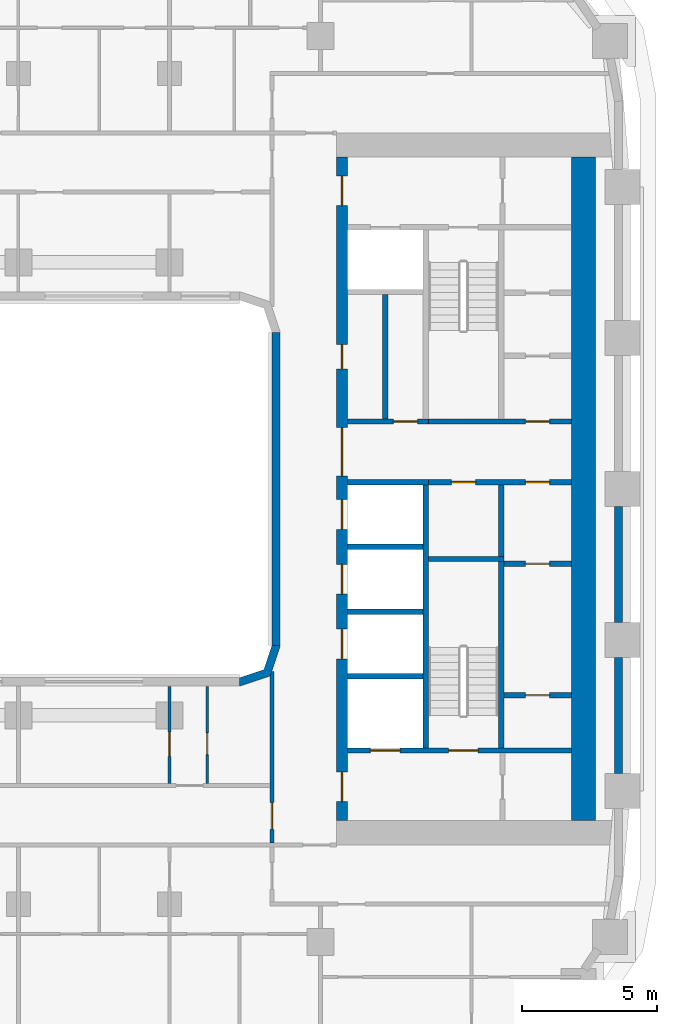
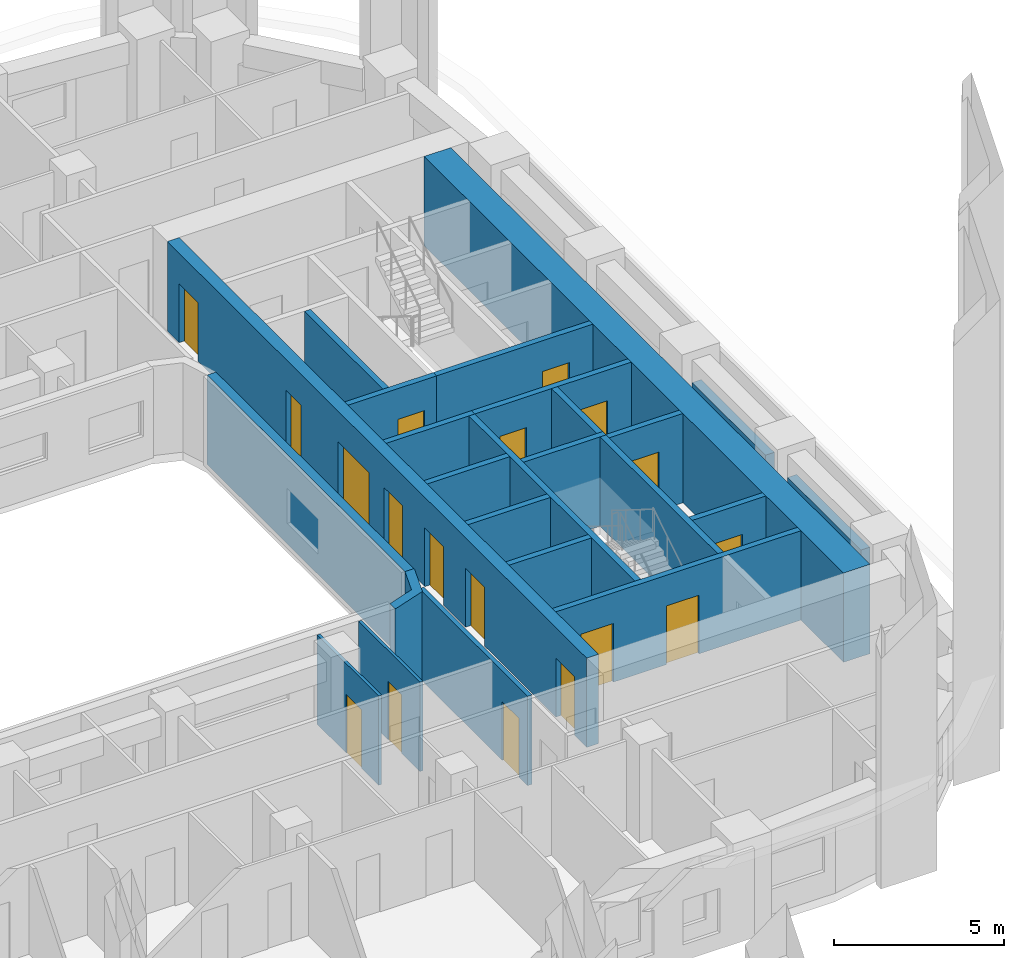
# One storey, part 6 of 19: 24 walls, 18 doors, 18 openings.
"""IFC4 building model written with IfcOpenShell, lengths in metres."""

import ifcopenshell
import ifcopenshell.guid

model = None  # the IFC model being written
_history = None  # IfcOwnerHistory: only IFC2X3 demands one
_inside = {}  # id of a spatial element -> (the spatial element, [elements in it])
_under = {}  # id of a project, library or spatial element -> (it, [spatial elements below it])
_declared = {}  # id of a project -> (the project, [libraries it declares])
_typed = {}  # id of a type object -> (the type object, [elements of that type])
_made_of = {}  # id of a material, layer set ... -> (it, [elements and type objects made of it])


def new_model(schema):
    """Start an empty IFC model of exactly this schema.

    Asked for "IFC4X3", IfcOpenShell would pick the latest addendum, in which some entities
    have other attributes; the version numbers below select the first issue.
    IFC2X3 requires an IfcOwnerHistory on every rooted entity: one is made here for all.
    """
    global model, _history
    if schema == "IFC4X3":
        model = ifcopenshell.file(schema_version=(4, 3, 0, 0))
    else:
        model = ifcopenshell.file(schema=schema)
    _inside.clear()
    _under.clear()
    _declared.clear()
    _typed.clear()
    _made_of.clear()
    _history = None
    if model.schema == "IFC2X3":
        org = make("IfcOrganization", Name="unknown")
        user = make(
            "IfcPersonAndOrganization",
            ThePerson=make("IfcPerson", FamilyName="unknown"),
            TheOrganization=org,
        )
        app = make(
            "IfcApplication",
            ApplicationDeveloper=org,
            Version="unknown",
            ApplicationFullName="unknown",
            ApplicationIdentifier="unknown",
        )
        _history = make(
            "IfcOwnerHistory",
            OwningUser=user,
            OwningApplication=app,
            ChangeAction="ADDED",
            CreationDate=0,
        )
    return model


def make(cls, **values):
    """One entity of the class cls with the attributes given. An attribute that is None is left unset."""
    return model.create_entity(
        cls, **{name: value for name, value in values.items() if value is not None}
    )


def rooted(cls, **values):
    """An entity with a GlobalId (a new one), such as an element, a storey or a relation."""
    return make(cls, GlobalId=ifcopenshell.guid.new(), OwnerHistory=_history, **values)


def si_unit(unit_type, name, prefix=None):
    """IfcSIUnit, for example si_unit("LENGTHUNIT", "METRE", prefix="MILLI")."""
    return make("IfcSIUnit", UnitType=unit_type, Prefix=prefix, Name=name)


def assignment(units):
    """IfcUnitAssignment: the units of a project."""
    return None if units is None else make("IfcUnitAssignment", Units=units)


def point(xyz):
    """IfcCartesianPoint."""
    return None if xyz is None else make("IfcCartesianPoint", Coordinates=xyz)


def direction(xyz):
    """IfcDirection."""
    return None if xyz is None else make("IfcDirection", DirectionRatios=xyz)


def frame(location, z_axis=None, x_axis=None):
    """IfcAxis2Placement3D, a coordinate frame: its origin and axes. An axis left out is left unset."""
    return make(
        "IfcAxis2Placement3D",
        Location=point(location),
        Axis=direction(z_axis),
        RefDirection=direction(x_axis),
    )


def frame_2d(location, x_axis=None):
    """IfcAxis2Placement2D, a coordinate frame in the plane: its origin and x axis."""
    return make(
        "IfcAxis2Placement2D", Location=point(location), RefDirection=direction(x_axis)
    )


def origin():
    """The frame at (0, 0, 0) with its axes left unset."""
    return frame((0.0, 0.0, 0.0))


def place(relative_to, where):
    """IfcLocalPlacement: puts the frame where relative to a parent placement (None: the world)."""
    return make(
        "IfcLocalPlacement", PlacementRelTo=relative_to, RelativePlacement=where
    )


def context(
    kind, dimensions, precision=None, world=None, true_north=None, identifier=None
):
    """IfcGeometricRepresentationContext, for example the 3D "Model" context."""
    return make(
        "IfcGeometricRepresentationContext",
        ContextIdentifier=identifier,
        ContextType=kind,
        CoordinateSpaceDimension=dimensions,
        Precision=precision,
        WorldCoordinateSystem=world,
        TrueNorth=true_north,
    )


def subcontext(parent, identifier, kind, view, scale=None):
    """IfcGeometricRepresentationSubContext, for example "Body" below "Model"."""
    return make(
        "IfcGeometricRepresentationSubContext",
        ContextIdentifier=identifier,
        ContextType=kind,
        ParentContext=parent,
        TargetScale=scale,
        TargetView=view,
    )


def project(units=None, contexts=None):
    """IfcProject with its units and contexts."""
    return rooted(
        "IfcProject",
        Name="project",
        RepresentationContexts=contexts,
        UnitsInContext=assignment(units),
    )


def spatial(cls, under=None, at=None, **own):
    """A site, building, storey or space (cls), placed at a placement, below another one or the project."""
    s = rooted(cls, ObjectPlacement=at, **own)
    if under is not None:
        _under.setdefault(under.id(), (under, []))[1].append(s)
    return s


def polyline(points):
    """IfcPolyline through the points."""
    return make("IfcPolyline", Points=[point(p) for p in points])


def profile(cls, at=None, kind="AREA", **sizes):
    """A parametric profile (cls). Its sizes go by their IFC names, for example OverallWidth=200.0."""
    return make(cls, ProfileType=kind, Position=at, **sizes)


def rectangle(**sizes):
    """IfcRectangleProfileDef."""
    return profile("IfcRectangleProfileDef", **sizes)


def outline(outer, holes=None, kind="AREA"):
    """IfcArbitraryClosedProfileDef: a profile drawn as a closed curve; with holes, ...WithVoids."""
    if holes is None:
        return make("IfcArbitraryClosedProfileDef", ProfileType=kind, OuterCurve=outer)
    return make(
        "IfcArbitraryProfileDefWithVoids",
        ProfileType=kind,
        OuterCurve=outer,
        InnerCurves=holes,
    )


def extrude(swept, where, along, depth):
    """IfcExtrudedAreaSolid: the profile swept, set in the frame where, extruded along a direction by depth."""
    return make(
        "IfcExtrudedAreaSolid",
        SweptArea=swept,
        Position=where,
        ExtrudedDirection=direction(along),
        Depth=depth,
    )


def shape(context_of_items, identifier, shape_type, items):
    """IfcShapeRepresentation: the items that make up one representation, for example the "Body"."""
    return make(
        "IfcShapeRepresentation",
        ContextOfItems=context_of_items,
        RepresentationIdentifier=identifier,
        RepresentationType=shape_type,
        Items=items,
    )


def material(Name=None, Category=None):
    """IfcMaterial."""
    return make("IfcMaterial", Name=Name, Category=Category)


def layer(
    of_material, thickness, ventilated=None, Name=None, Category=None, Priority=None
):
    """IfcMaterialLayer: one layer of a wall or slab, of a material (None: an air gap)."""
    return make(
        "IfcMaterialLayer",
        Material=of_material,
        LayerThickness=thickness,
        IsVentilated=ventilated,
        Name=Name,
        Category=Category,
        Priority=Priority,
    )


def layer_set(layers, Name=None):
    """IfcMaterialLayerSet."""
    return make("IfcMaterialLayerSet", MaterialLayers=layers, LayerSetName=Name)


def made_of(thing, what):
    """Note that an element or type object is made of a material, layer set ...; save() writes the relation."""
    if what is not None:
        _made_of.setdefault(what.id(), (what, []))[1].append(thing)
    return thing


def type_object(cls, material=None, **own):
    """A type object (cls), such as IfcWallType, which elements share."""
    return made_of(rooted(cls, **own), material)


def element(
    cls,
    number,
    at=None,
    inside=None,
    cuts=None,
    type_object=None,
    material=None,
    context=None,
    identifier="Body",
    shape_type=None,
    held_by="IfcProductDefinitionShape",
    body=None,
    shapes=None,
    **own,
):
    """One element of the class cls, such as IfcWall. Its Tag is "e" and its number.

    at: its placement. inside: the storey or other place that contains it. cuts: it is an
    opening in that element (IfcRelVoidsElement). A single representation is given by context,
    identifier, shape_type and body (its items); several are given by shapes. held_by: the class
    of the entity that holds the representations. save() writes the other relations.
    """
    e = rooted(cls, Tag="e%d" % number, ObjectPlacement=at, **own)
    if body is not None:
        shapes = [shape(context, identifier, shape_type, body)]
    if shapes is not None:
        e.Representation = make(held_by, Representations=shapes)
    if inside is not None:
        _inside.setdefault(inside.id(), (inside, []))[1].append(e)
    if cuts is not None:
        rooted(
            "IfcRelVoidsElement", RelatingBuildingElement=cuts, RelatedOpeningElement=e
        )
    if type_object is not None:
        _typed.setdefault(type_object.id(), (type_object, []))[1].append(e)
    return made_of(e, material)


def fill(opening, filler):
    """IfcRelFillsElement: the door or window that sits in an opening."""
    return rooted(
        "IfcRelFillsElement",
        RelatingOpeningElement=opening,
        RelatedBuildingElement=filler,
    )


def aggregate(whole, parts):
    """IfcRelAggregates: a whole, such as a stair, and the parts it consists of."""
    return rooted("IfcRelAggregates", RelatingObject=whole, RelatedObjects=parts)


def save(model, path):
    """Write the relations noted so far, then the file.

    IfcRelAggregates (storeys below a building ...), IfcRelContainedInSpatialStructure (elements
    in a storey), IfcRelDefinesByType, IfcRelAssociatesMaterial and IfcRelDeclares: one each for
    every whole, place, type object, material and project.
    """
    for whole, parts in _under.values():
        aggregate(whole, parts)
    for where, things in _inside.values():
        rooted(
            "IfcRelContainedInSpatialStructure",
            RelatedElements=things,
            RelatingStructure=where,
        )
    for kind, things in _typed.values():
        rooted("IfcRelDefinesByType", RelatedObjects=things, RelatingType=kind)
    for what, things in _made_of.values():
        rooted("IfcRelAssociatesMaterial", RelatedObjects=things, RelatingMaterial=what)
    for by, libraries in _declared.values():
        rooted("IfcRelDeclares", RelatingContext=by, RelatedDefinitions=libraries)
    model.write(path)


model = new_model("IFC4")

# Units and contexts
model_context = context("Model", 3, precision=1e-05, world=origin(), true_north=direction((0.0, 1.0)))
body_context = subcontext(model_context, "Body", "Model", "MODEL_VIEW")
ifc_project = project(units=[si_unit("LENGTHUNIT", "METRE"), si_unit("AREAUNIT", "SQUARE_METRE"), si_unit("VOLUMEUNIT", "CUBIC_METRE"), si_unit("PLANEANGLEUNIT", "RADIAN"), si_unit("MASSUNIT", "GRAM", prefix="KILO")], contexts=[model_context])

# Site, building, storey
site_placement = place(None, origin())
site = spatial("IfcSite", under=ifc_project, at=site_placement, CompositionType="ELEMENT")
building_placement = place(site_placement, origin())
building = spatial("IfcBuilding", under=site, at=building_placement, Name="Kiln Ring Residences", CompositionType="ELEMENT")
storey_placement = place(building_placement, frame((0.0, 0.0, 83.300048828125)))
storey = spatial("IfcBuildingStorey", under=building, at=storey_placement, Name="L20", CompositionType="ELEMENT", Elevation=83.300048828125)

# Wall
ifc_material_1 = material(Name="Gypsum board on steel studs", Category="steel")
ifc_layer_1 = layer(ifc_material_1, 0.199951171875)
ifc_layer_set_1 = layer_set([ifc_layer_1], Name="CORE-PARTITION-200")
wall_type_1 = type_object("IfcWallType", Name="CORE-PARTITION-200", PredefinedType="PARTITIONING", material=ifc_layer_set_1)
wall_1_placement = place(storey_placement, frame((23.5, -2.5, 0.0), z_axis=(0.0, 0.0, 1.0), x_axis=(0.0, 1.0, 0.0)))
element("IfcWall", 1, at=wall_1_placement, inside=storey, type_object=wall_type_1, Name="Core partition east L20 1", PredefinedType="PARTITIONING", context=body_context, shape_type="SweptSolid", body=[
    extrude(rectangle(XDim=2.64990234375, YDim=0.199951171875, at=frame_2d((1.324951171875, 0.0))), origin(), (0.0, 0.0, 1.0), 3.199951171875),
])

# Wall, openings, doors
wall_2_placement = place(storey_placement, frame((20.800048828125, 0.25, 0.0), z_axis=(0.0, 0.0, 1.0), x_axis=(1.0, 0.0, 0.0)))
wall_2 = element("IfcWall", 2, at=wall_2_placement, inside=storey, type_object=wall_type_1, Name="Core partition east L20 2", PredefinedType="PARTITIONING", context=body_context, shape_type="SweptSolid", body=[
    extrude(rectangle(XDim=5.300048828125, YDim=0.199951171875, at=frame_2d((2.64990234375, 0.0))), origin(), (0.0, 0.0, 1.0), 3.199951171875),
])
opening_1_placement = place(wall_2_placement, frame((0.85009765625, 0.0, 0.0)))
opening_1 = element("IfcOpeningElement", 3, at=opening_1_placement, cuts=wall_2, Name="Opening L20-CE15", PredefinedType="OPENING", context=body_context, shape_type="SweptSolid", body=[
    extrude(rectangle(XDim=0.89990234375, YDim=2.10009765625, at=frame_2d((0.449951171875, 1.050048828125))), frame((0.0, 0.10986328125, 0.0), z_axis=(0.0, -1.0, 0.0), x_axis=(1.0, 0.0, 0.0)), (0.0, 0.0, 1.0), 0.219970703125),
])
opening_2_placement = place(wall_2_placement, frame((3.60009765625, 0.0, 0.0)))
opening_2 = element("IfcOpeningElement", 4, at=opening_2_placement, cuts=wall_2, Name="Opening L20-CE18", PredefinedType="OPENING", context=body_context, shape_type="SweptSolid", body=[
    extrude(rectangle(XDim=0.89990234375, YDim=2.10009765625, at=frame_2d((0.449951171875, 1.050048828125))), frame((0.0, 0.10986328125, 0.0), z_axis=(0.0, -1.0, 0.0), x_axis=(1.0, 0.0, 0.0)), (0.0, 0.0, 1.0), 0.219970703125),
])
ifc_material_2 = material(Name="Steel door leaf", Category="steel")
door_type_1 = type_object("IfcDoorType", Name="CORE-DOOR-ROOM", OperationType="SINGLE_SWING_LEFT", PredefinedType="DOOR", material=ifc_material_2)
door_1_placement = place(opening_1_placement, origin())
door_1 = element("IfcDoor", 5, at=door_1_placement, inside=storey, type_object=door_type_1, Name="Cleaner's store L20-CE15", OperationType="SINGLE_SWING_RIGHT", OverallHeight=2.10009765625, OverallWidth=0.89990234375, PredefinedType="DOOR", context=body_context, shape_type="SweptSolid", body=[
    extrude(rectangle(XDim=0.89990234375, YDim=2.10009765625, at=frame_2d((0.449951171875, 1.050048828125))), frame((0.0, 0.02490234375, 0.0), z_axis=(0.0, -1.0, 0.0), x_axis=(1.0, 0.0, 0.0)), (0.0, 0.0, 1.0), 0.050048828125),
])
fill(opening_1, door_1)
door_2_placement = place(opening_2_placement, origin())
door_2 = element("IfcDoor", 6, at=door_2_placement, inside=storey, type_object=door_type_1, Name="Battery room L20-CE18", OperationType="SINGLE_SWING_LEFT", OverallHeight=2.10009765625, OverallWidth=0.89990234375, PredefinedType="DOOR", context=body_context, shape_type="SweptSolid", body=[
    extrude(rectangle(XDim=0.89990234375, YDim=2.10009765625, at=frame_2d((0.449951171875, 1.050048828125))), frame((0.0, 0.02490234375, 0.0), z_axis=(0.0, -1.0, 0.0), x_axis=(1.0, 0.0, 0.0)), (0.0, 0.0, 1.0), 0.050048828125),
])
fill(opening_2, door_2)

# Wall
wall_3_placement = place(storey_placement, frame((19.199951171875, 2.60009765625, 0.0), z_axis=(0.0, 0.0, 1.0), x_axis=(0.0, 1.0, 0.0)))
element("IfcWall", 7, at=wall_3_placement, inside=storey, type_object=wall_type_1, Name="Core partition east L20 3", PredefinedType="PARTITIONING", context=body_context, shape_type="SweptSolid", body=[
    extrude(rectangle(XDim=4.599853515625, YDim=0.199951171875, at=frame_2d((2.2998046875, 0.0))), origin(), (0.0, 0.0, 1.0), 3.199951171875),
])

# Wall, opening, door
wall_4_placement = place(storey_placement, frame((23.60009765625, -7.64990234375, 0.0), z_axis=(0.0, 0.0, 1.0), x_axis=(1.0, 0.0, 0.0)))
wall_4 = element("IfcWall", 8, at=wall_4_placement, inside=storey, type_object=wall_type_1, Name="Core partition east L20 6", PredefinedType="PARTITIONING", context=body_context, shape_type="SweptSolid", body=[
    extrude(rectangle(XDim=2.5, YDim=0.199951171875, at=frame_2d((1.25, 0.0))), origin(), (0.0, 0.0, 1.0), 3.199951171875),
])
opening_3_placement = place(wall_4_placement, frame((0.800048828125, 0.0, 0.0)))
opening_3 = element("IfcOpeningElement", 9, at=opening_3_placement, cuts=wall_4, Name="Opening L20-CE16", PredefinedType="OPENING", context=body_context, shape_type="SweptSolid", body=[
    extrude(rectangle(XDim=0.89990234375, YDim=2.10009765625, at=frame_2d((0.449951171875, 1.050048828125))), frame((0.0, 0.10986328125, 0.0), z_axis=(0.0, -1.0, 0.0), x_axis=(1.0, 0.0, 0.0)), (0.0, 0.0, 1.0), 0.219970703125),
])
door_3_placement = place(opening_3_placement, origin())
door_3 = element("IfcDoor", 10, at=door_3_placement, inside=storey, type_object=door_type_1, Name="Plant room L20-CE16", OperationType="SINGLE_SWING_RIGHT", OverallHeight=2.10009765625, OverallWidth=0.89990234375, PredefinedType="DOOR", context=body_context, shape_type="SweptSolid", body=[
    extrude(rectangle(XDim=0.89990234375, YDim=2.10009765625, at=frame_2d((0.449951171875, 1.050048828125))), frame((0.0, 0.02490234375, 0.0), z_axis=(0.0, -1.0, 0.0), x_axis=(1.0, 0.0, 0.0)), (0.0, 0.0, 1.0), 0.050048828125),
])
fill(opening_3, door_3)

wall_5_placement = place(storey_placement, frame((23.60009765625, -2.77490234375, 0.0), z_axis=(0.0, 0.0, 1.0), x_axis=(1.0, 0.0, 0.0)))
wall_5 = element("IfcWall", 11, at=wall_5_placement, inside=storey, type_object=wall_type_1, Name="Core partition east L20 7", PredefinedType="PARTITIONING", context=body_context, shape_type="SweptSolid", body=[
    extrude(rectangle(XDim=2.5, YDim=0.199951171875, at=frame_2d((1.25, 0.0))), origin(), (0.0, 0.0, 1.0), 3.199951171875),
])
opening_4_placement = place(wall_5_placement, frame((0.800048828125, 0.0, 0.0)))
opening_4 = element("IfcOpeningElement", 12, at=opening_4_placement, cuts=wall_5, Name="Opening L20-CE17", PredefinedType="OPENING", context=body_context, shape_type="SweptSolid", body=[
    extrude(rectangle(XDim=0.89990234375, YDim=2.10009765625, at=frame_2d((0.449951171875, 1.050048828125))), frame((0.0, 0.10986328125, 0.0), z_axis=(0.0, -1.0, 0.0), x_axis=(1.0, 0.0, 0.0)), (0.0, 0.0, 1.0), 0.219970703125),
])
door_4_placement = place(opening_4_placement, origin())
door_4 = element("IfcDoor", 13, at=door_4_placement, inside=storey, type_object=door_type_1, Name="Battery room L20-CE17", OperationType="SINGLE_SWING_LEFT", OverallHeight=2.10009765625, OverallWidth=0.89990234375, PredefinedType="DOOR", context=body_context, shape_type="SweptSolid", body=[
    extrude(rectangle(XDim=0.89990234375, YDim=2.10009765625, at=frame_2d((0.449951171875, 1.050048828125))), frame((0.0, 0.02490234375, 0.0), z_axis=(0.0, -1.0, 0.0), x_axis=(1.0, 0.0, 0.0)), (0.0, 0.0, 1.0), 0.050048828125),
])
fill(opening_4, door_4)

# Walls
ifc_material_3 = material(Name="Gypsum shaft wall system")
ifc_layer_2 = layer(ifc_material_3, 0.199951171875)
ifc_layer_set_2 = layer_set([ifc_layer_2], Name="CORE-SHAFT-WALL-200")
wall_type_2 = type_object("IfcWallType", Name="CORE-SHAFT-WALL-200", PredefinedType="PARTITIONING", material=ifc_layer_set_2)
for number, where, z_axis, x_axis, name in (
    (14, (17.800048828125, -6.949951171875, 0.0), (0.0, 0.0, 1.0), (1.0, 0.0, 0.0), "Core partition east L20 10"),
    (15, (17.800048828125, -4.550048828125, 0.0), (0.0, 0.0, 1.0), (1.0, 0.0, 0.0), "Core partition east L20 11"),
    (16, (17.800048828125, -2.14990234375, 0.0), (0.0, 0.0, 1.0), (1.0, 0.0, 0.0), "Core partition east L20 12"),
):
    element("IfcWall", number, at=place(storey_placement, frame(where, z_axis=z_axis, x_axis=x_axis)), inside=storey, type_object=wall_type_2, Name=name, PredefinedType="PARTITIONING", context=body_context, shape_type="SweptSolid", body=[
        extrude(rectangle(XDim=2.800048828125, YDim=0.199951171875, at=frame_2d((1.39990234375, 0.0))), origin(), (0.0, 0.0, 1.0), 3.199951171875),
    ])
wall_6_placement = place(storey_placement, frame((17.800048828125, 0.25, 0.0), z_axis=(0.0, 0.0, 1.0), x_axis=(1.0, 0.0, 0.0)))
element("IfcWall", 17, at=wall_6_placement, inside=storey, type_object=wall_type_2, Name="Core partition east L20 13", PredefinedType="PARTITIONING", context=body_context, shape_type="SweptSolid", body=[
    extrude(rectangle(XDim=3.0, YDim=0.199951171875, at=frame_2d((1.5, 0.0))), origin(), (0.0, 0.0, 1.0), 3.199951171875),
])

# Wall, opening, door
wall_7_placement = place(storey_placement, frame((17.800048828125, 2.5, 0.0), z_axis=(0.0, 0.0, 1.0), x_axis=(1.0, 0.0, 0.0)))
wall_7 = element("IfcWall", 18, at=wall_7_placement, inside=storey, type_object=wall_type_2, Name="Core partition east L20 14", PredefinedType="PARTITIONING", context=body_context, shape_type="SweptSolid", body=[
    extrude(rectangle(XDim=3.0, YDim=0.199951171875, at=frame_2d((1.5, 0.0))), origin(), (0.0, 0.0, 1.0), 3.199951171875),
])
opening_5_placement = place(wall_7_placement, frame((1.699951171875, 0.0, 0.0)))
opening_5 = element("IfcOpeningElement", 19, at=opening_5_placement, cuts=wall_7, Name="Opening L20-CE06", PredefinedType="OPENING", context=body_context, shape_type="SweptSolid", body=[
    extrude(rectangle(XDim=0.89990234375, YDim=2.10009765625, at=frame_2d((0.449951171875, 1.050048828125))), frame((0.0, 0.10986328125, 0.0), z_axis=(0.0, -1.0, 0.0), x_axis=(1.0, 0.0, 0.0)), (0.0, 0.0, 1.0), 0.219970703125),
])
door_5_placement = place(opening_5_placement, origin())
door_5 = element("IfcDoor", 20, at=door_5_placement, inside=storey, type_object=door_type_1, Name="Cleaner's store L20-CE06", OperationType="SINGLE_SWING_RIGHT", OverallHeight=2.10009765625, OverallWidth=0.89990234375, PredefinedType="DOOR", context=body_context, shape_type="SweptSolid", body=[
    extrude(rectangle(XDim=0.89990234375, YDim=2.10009765625, at=frame_2d((0.449951171875, 1.050048828125))), frame((0.0, 0.02490234375, 0.0), z_axis=(0.0, -1.0, 0.0), x_axis=(1.0, 0.0, 0.0)), (0.0, 0.0, 1.0), 0.050048828125),
])
fill(opening_5, door_5)

# Wall
ifc_material_4 = material(Name="Concrete C40/50", Category="concrete")
ifc_layer_3 = layer(ifc_material_4, 0.199951171875)
ifc_layer_set_3 = layer_set([ifc_layer_3], Name="CORE-WALL-RC200")
wall_type_3 = type_object("IfcWallType", Name="CORE-WALL-RC200", PredefinedType="SHEAR", material=ifc_layer_set_3)
wall_8_placement = place(storey_placement, frame((20.699951171875, -9.60009765625, 0.0), z_axis=(0.0, 0.0, 1.0), x_axis=(0.0, 1.0, 0.0)))
element("IfcWall", 21, at=wall_8_placement, inside=storey, type_object=wall_type_3, Name="Core wall east L20 2", PredefinedType="SHEAR", context=body_context, shape_type="SweptSolid", body=[
    extrude(rectangle(XDim=9.75, YDim=0.199951171875, at=frame_2d((4.875, 0.0))), origin(), (0.0, 0.0, 1.0), 3.199951171875),
])

# Wall, opening, door
wall_9_placement = place(storey_placement, frame((20.800048828125, 2.5, 0.0), z_axis=(0.0, 0.0, 1.0), x_axis=(1.0, 0.0, 0.0)))
wall_9 = element("IfcWall", 22, at=wall_9_placement, inside=storey, type_object=wall_type_3, Name="Core wall east L20 3", PredefinedType="SHEAR", context=body_context, shape_type="SweptSolid", body=[
    extrude(rectangle(XDim=5.300048828125, YDim=0.199951171875, at=frame_2d((2.64990234375, 0.0))), origin(), (0.0, 0.0, 1.0), 3.199951171875),
])
opening_6_placement = place(wall_9_placement, frame((3.60009765625, 0.0, 0.0)))
opening_6 = element("IfcOpeningElement", 23, at=opening_6_placement, cuts=wall_9, Name="Opening L20-CE21", PredefinedType="OPENING", context=body_context, shape_type="SweptSolid", body=[
    extrude(rectangle(XDim=0.89990234375, YDim=2.10009765625, at=frame_2d((0.449951171875, 1.050048828125))), frame((0.0, 0.10986328125, 0.0), z_axis=(0.0, -1.0, 0.0), x_axis=(1.0, 0.0, 0.0)), (0.0, 0.0, 1.0), 0.219970703125),
])
door_6_placement = place(opening_6_placement, origin())
door_6 = element("IfcDoor", 24, at=door_6_placement, inside=storey, type_object=door_type_1, Name="UPS room L20-CE21", OperationType="SINGLE_SWING_LEFT", OverallHeight=2.10009765625, OverallWidth=0.89990234375, PredefinedType="DOOR", context=body_context, shape_type="SweptSolid", body=[
    extrude(rectangle(XDim=0.89990234375, YDim=2.10009765625, at=frame_2d((0.449951171875, 1.050048828125))), frame((0.0, 0.02490234375, 0.0), z_axis=(0.0, -1.0, 0.0), x_axis=(1.0, 0.0, 0.0)), (0.0, 0.0, 1.0), 0.050048828125),
])
fill(opening_6, door_6)

# Wall, openings, doors
wall_10_placement = place(storey_placement, frame((17.800048828125, -9.699951171875, 0.0), z_axis=(0.0, 0.0, 1.0), x_axis=(1.0, 0.0, 0.0)))
wall_10 = element("IfcWall", 25, at=wall_10_placement, inside=storey, type_object=wall_type_3, Name="Core wall east L20 8", PredefinedType="SHEAR", context=body_context, shape_type="SweptSolid", body=[
    extrude(rectangle(XDim=8.300048828125, YDim=0.199951171875, at=frame_2d((4.14990234375, 0.0))), origin(), (0.0, 0.0, 1.0), 3.199951171875),
])
opening_7_placement = place(wall_10_placement, frame((0.85009765625, 0.0, 0.0)))
opening_7 = element("IfcOpeningElement", 26, at=opening_7_placement, cuts=wall_10, Name="Opening L20-CE01", PredefinedType="OPENING", context=body_context, shape_type="SweptSolid", body=[
    extrude(rectangle(XDim=1.10009765625, YDim=2.10009765625, at=frame_2d((0.550048828125, 1.050048828125))), frame((0.0, 0.10986328125, 0.0), z_axis=(0.0, -1.0, 0.0), x_axis=(1.0, 0.0, 0.0)), (0.0, 0.0, 1.0), 0.219970703125),
])
opening_8_placement = place(wall_10_placement, frame((3.75, 0.0, 0.0)))
opening_8 = element("IfcOpeningElement", 27, at=opening_8_placement, cuts=wall_10, Name="Opening L20-CE13", PredefinedType="OPENING", context=body_context, shape_type="SweptSolid", body=[
    extrude(rectangle(XDim=1.10009765625, YDim=2.10009765625, at=frame_2d((0.550048828125, 1.050048828125))), frame((0.0, 0.10986328125, 0.0), z_axis=(0.0, -1.0, 0.0), x_axis=(1.0, 0.0, 0.0)), (0.0, 0.0, 1.0), 0.219970703125),
])
ifc_material_5 = material(Name="Steel door leaf", Category="steel")
door_type_2 = type_object("IfcDoorType", Name="CORE-DOOR-LD", OperationType="DOUBLE_DOOR_SLIDING", PredefinedType="DOOR", material=ifc_material_5)
door_7_placement = place(opening_7_placement, origin())
door_7 = element("IfcDoor", 28, at=door_7_placement, inside=storey, type_object=door_type_2, Name="LD E-SV L20-CE01", OperationType="DOUBLE_DOOR_SLIDING", OverallHeight=2.10009765625, OverallWidth=1.10009765625, PredefinedType="DOOR", context=body_context, shape_type="SweptSolid", body=[
    extrude(rectangle(XDim=1.10009765625, YDim=2.10009765625, at=frame_2d((0.550048828125, 1.050048828125))), frame((0.0, 0.02490234375, 0.0), z_axis=(0.0, -1.0, 0.0), x_axis=(1.0, 0.0, 0.0)), (0.0, 0.0, 1.0), 0.050048828125),
])
fill(opening_7, door_7)
ifc_material_6 = material(Name="Steel door leaf", Category="steel")
door_type_3 = type_object("IfcDoorType", Name="CORE-DOOR-STAIR", OperationType="SINGLE_SWING_LEFT", PredefinedType="DOOR", material=ifc_material_6)
door_8_placement = place(opening_8_placement, origin())
door_8 = element("IfcDoor", 29, at=door_8_placement, inside=storey, type_object=door_type_3, Name="Stair E-STS L20-CE13", OperationType="SINGLE_SWING_LEFT", OverallHeight=2.10009765625, OverallWidth=1.10009765625, PredefinedType="DOOR", context=body_context, shape_type="SweptSolid", body=[
    extrude(rectangle(XDim=1.10009765625, YDim=2.10009765625, at=frame_2d((0.550048828125, 1.050048828125))), frame((0.0, 0.02490234375, 0.0), z_axis=(0.0, -1.0, 0.0), x_axis=(1.0, 0.0, 0.0)), (0.0, 0.0, 1.0), 0.050048828125),
])
fill(opening_8, door_8)

# Walls
wall_11_placement = place(storey_placement, frame((23.5, -9.60009765625, 0.0), z_axis=(0.0, 0.0, 1.0), x_axis=(0.0, 1.0, 0.0)))
element("IfcWall", 30, at=wall_11_placement, inside=storey, type_object=wall_type_3, Name="Core wall east L20 11", PredefinedType="SHEAR", context=body_context, shape_type="SweptSolid", body=[
    extrude(rectangle(XDim=6.900146484375, YDim=0.199951171875, at=frame_2d((3.4501953125, 0.0))), origin(), (0.0, 0.0, 1.0), 3.199951171875),
])
wall_12_placement = place(storey_placement, frame((20.800048828125, -2.60009765625, 0.0), z_axis=(0.0, 0.0, 1.0), x_axis=(1.0, 0.0, 0.0)))
element("IfcWall", 31, at=wall_12_placement, inside=storey, type_object=wall_type_3, Name="Core wall east L20 12", PredefinedType="SHEAR", context=body_context, shape_type="SweptSolid", body=[
    extrude(rectangle(XDim=2.800048828125, YDim=0.199951171875, at=frame_2d((1.39990234375, 0.0))), origin(), (0.0, 0.0, 1.0), 3.199951171875),
])

# Wall, openings, doors
ifc_material_7 = material(Name="Concrete C60/75", Category="concrete")
ifc_layer_4 = layer(ifc_material_7, 0.39990234375)
ifc_layer_set_4 = layer_set([ifc_layer_4], Name="CORE-WALL-RC400")
wall_type_4 = type_object("IfcWallType", Name="CORE-WALL-RC400", PredefinedType="SHEAR", material=ifc_layer_set_4)
wall_13_placement = place(storey_placement, frame((17.60009765625, -12.300048828125, 0.0), z_axis=(0.0, 0.0, 1.0), x_axis=(0.0, 1.0, 0.0)))
wall_13 = element("IfcWall", 32, at=wall_13_placement, inside=storey, type_object=wall_type_4, Name="Core wall east L20 6", PredefinedType="SHEAR", context=body_context, shape_type="SweptSolid", body=[
    extrude(rectangle(XDim=24.60009765625, YDim=0.39990234375, at=frame_2d((12.300048828125, 0.0))), origin(), (0.0, 0.0, 1.0), 3.199951171875),
])
opening_9_placement = place(wall_13_placement, frame((6.0, 0.0, 0.0)))
opening_9 = element("IfcOpeningElement", 33, at=opening_9_placement, cuts=wall_13, Name="Opening L20-CE02", PredefinedType="OPENING", context=body_context, shape_type="SweptSolid", body=[
    extrude(rectangle(XDim=1.10009765625, YDim=2.10009765625, at=frame_2d((0.550048828125, 1.050048828125))), frame((0.0, 0.2099609375, 0.0), z_axis=(0.0, -1.0, 0.0), x_axis=(1.0, 0.0, 0.0)), (0.0, 0.0, 1.0), 0.419921875),
])
opening_10_placement = place(wall_13_placement, frame((8.39990234375, 0.0, 0.0)))
opening_10 = element("IfcOpeningElement", 34, at=opening_10_placement, cuts=wall_13, Name="Opening L20-CE03", PredefinedType="OPENING", context=body_context, shape_type="SweptSolid", body=[
    extrude(rectangle(XDim=1.10009765625, YDim=2.10009765625, at=frame_2d((0.550048828125, 1.050048828125))), frame((0.0, 0.2099609375, 0.0), z_axis=(0.0, -1.0, 0.0), x_axis=(1.0, 0.0, 0.0)), (0.0, 0.0, 1.0), 0.419921875),
])
opening_11_placement = place(wall_13_placement, frame((10.800048828125, 0.0, 0.0)))
opening_11 = element("IfcOpeningElement", 35, at=opening_11_placement, cuts=wall_13, Name="Opening L20-CE04", PredefinedType="OPENING", context=body_context, shape_type="SweptSolid", body=[
    extrude(rectangle(XDim=1.10009765625, YDim=2.10009765625, at=frame_2d((0.550048828125, 1.050048828125))), frame((0.0, 0.2099609375, 0.0), z_axis=(0.0, -1.0, 0.0), x_axis=(1.0, 0.0, 0.0)), (0.0, 0.0, 1.0), 0.419921875),
])
opening_12_placement = place(wall_13_placement, frame((16.75, 0.0, 0.0)))
opening_12 = element("IfcOpeningElement", 36, at=opening_12_placement, cuts=wall_13, Name="Opening L20-CE05", PredefinedType="OPENING", context=body_context, shape_type="SweptSolid", body=[
    extrude(rectangle(XDim=0.89990234375, YDim=2.10009765625, at=frame_2d((0.449951171875, 1.050048828125))), frame((0.0, 0.2099609375, 0.0), z_axis=(0.0, -1.0, 0.0), x_axis=(1.0, 0.0, 0.0)), (0.0, 0.0, 1.0), 0.419921875),
])
opening_13_placement = place(wall_13_placement, frame((22.800048828125, 0.0, 0.0)))
opening_13 = element("IfcOpeningElement", 37, at=opening_13_placement, cuts=wall_13, Name="Opening L20-CE08", PredefinedType="OPENING", context=body_context, shape_type="SweptSolid", body=[
    extrude(rectangle(XDim=1.10009765625, YDim=2.10009765625, at=frame_2d((0.550048828125, 1.050048828125))), frame((0.0, 0.2099609375, 0.0), z_axis=(0.0, -1.0, 0.0), x_axis=(1.0, 0.0, 0.0)), (0.0, 0.0, 1.0), 0.419921875),
])
opening_14_placement = place(wall_13_placement, frame((0.699951171875, 0.0, 0.0)))
opening_14 = element("IfcOpeningElement", 38, at=opening_14_placement, cuts=wall_13, Name="Opening L20-CE09", PredefinedType="OPENING", context=body_context, shape_type="SweptSolid", body=[
    extrude(rectangle(XDim=1.10009765625, YDim=2.10009765625, at=frame_2d((0.550048828125, 1.050048828125))), frame((0.0, 0.2099609375, 0.0), z_axis=(0.0, -1.0, 0.0), x_axis=(1.0, 0.0, 0.0)), (0.0, 0.0, 1.0), 0.419921875),
])
opening_15_placement = place(wall_13_placement, frame((12.77490234375, 0.0, 0.0)))
opening_15 = element("IfcOpeningElement", 39, at=opening_15_placement, cuts=wall_13, Name="Opening L20-CE14", PredefinedType="OPENING", context=body_context, shape_type="SweptSolid", body=[
    extrude(rectangle(XDim=1.800048828125, YDim=2.10009765625, at=frame_2d((0.89990234375, 1.050048828125))), frame((0.0, 0.2099609375, 0.0), z_axis=(0.0, -1.0, 0.0), x_axis=(1.0, 0.0, 0.0)), (0.0, 0.0, 1.0), 0.419921875),
])
door_9_placement = place(opening_9_placement, origin())
door_9 = element("IfcDoor", 40, at=door_9_placement, inside=storey, type_object=door_type_2, Name="LD E-L1 L20-CE02", OperationType="DOUBLE_DOOR_SLIDING", OverallHeight=2.10009765625, OverallWidth=1.10009765625, PredefinedType="DOOR", context=body_context, shape_type="SweptSolid", body=[
    extrude(rectangle(XDim=1.10009765625, YDim=2.10009765625, at=frame_2d((0.550048828125, 1.050048828125))), frame((0.0, 0.02490234375, 0.0), z_axis=(0.0, -1.0, 0.0), x_axis=(1.0, 0.0, 0.0)), (0.0, 0.0, 1.0), 0.050048828125),
])
fill(opening_9, door_9)
door_10_placement = place(opening_10_placement, origin())
door_10 = element("IfcDoor", 41, at=door_10_placement, inside=storey, type_object=door_type_2, Name="LD E-L2 L20-CE03", OperationType="DOUBLE_DOOR_SLIDING", OverallHeight=2.10009765625, OverallWidth=1.10009765625, PredefinedType="DOOR", context=body_context, shape_type="SweptSolid", body=[
    extrude(rectangle(XDim=1.10009765625, YDim=2.10009765625, at=frame_2d((0.550048828125, 1.050048828125))), frame((0.0, 0.02490234375, 0.0), z_axis=(0.0, -1.0, 0.0), x_axis=(1.0, 0.0, 0.0)), (0.0, 0.0, 1.0), 0.050048828125),
])
fill(opening_10, door_10)
door_11_placement = place(opening_11_placement, origin())
door_11 = element("IfcDoor", 42, at=door_11_placement, inside=storey, type_object=door_type_2, Name="LD E-L3 L20-CE04", OperationType="DOUBLE_DOOR_SLIDING", OverallHeight=2.10009765625, OverallWidth=1.10009765625, PredefinedType="DOOR", context=body_context, shape_type="SweptSolid", body=[
    extrude(rectangle(XDim=1.10009765625, YDim=2.10009765625, at=frame_2d((0.550048828125, 1.050048828125))), frame((0.0, 0.02490234375, 0.0), z_axis=(0.0, -1.0, 0.0), x_axis=(1.0, 0.0, 0.0)), (0.0, 0.0, 1.0), 0.050048828125),
])
fill(opening_11, door_11)
ifc_material_8 = material(Name="Steel door leaf", Category="steel")
door_type_4 = type_object("IfcDoorType", Name="CORE-DOOR-LOBBY", OperationType="SINGLE_SWING_LEFT", PredefinedType="DOOR", material=ifc_material_8)
door_12_placement = place(opening_13_placement, origin())
door_12 = element("IfcDoor", 43, at=door_12_placement, inside=storey, type_object=door_type_4, Name="FFL L20-CE08", OperationType="SINGLE_SWING_RIGHT", OverallHeight=2.10009765625, OverallWidth=1.10009765625, PredefinedType="DOOR", context=body_context, shape_type="SweptSolid", body=[
    extrude(rectangle(XDim=1.10009765625, YDim=2.10009765625, at=frame_2d((0.550048828125, 1.050048828125))), frame((0.0, 0.02490234375, 0.0), z_axis=(0.0, -1.0, 0.0), x_axis=(1.0, 0.0, 0.0)), (0.0, 0.0, 1.0), 0.050048828125),
])
fill(opening_13, door_12)
door_13_placement = place(opening_14_placement, origin())
door_13 = element("IfcDoor", 44, at=door_13_placement, inside=storey, type_object=door_type_4, Name="SVL L20-CE09", OperationType="SINGLE_SWING_LEFT", OverallHeight=2.10009765625, OverallWidth=1.10009765625, PredefinedType="DOOR", context=body_context, shape_type="SweptSolid", body=[
    extrude(rectangle(XDim=1.10009765625, YDim=2.10009765625, at=frame_2d((0.550048828125, 1.050048828125))), frame((0.0, 0.02490234375, 0.0), z_axis=(0.0, -1.0, 0.0), x_axis=(1.0, 0.0, 0.0)), (0.0, 0.0, 1.0), 0.050048828125),
])
fill(opening_14, door_13)
ifc_material_9 = material(Name="Steel door leaf", Category="steel")
door_type_5 = type_object("IfcDoorType", Name="CORE-DOOR-PASS", OperationType="DOUBLE_DOOR_SINGLE_SWING", PredefinedType="DOOR", material=ifc_material_9)
door_14_placement = place(opening_15_placement, origin())
door_14 = element("IfcDoor", 45, at=door_14_placement, inside=storey, type_object=door_type_5, Name="Core passage L20-CE14", OperationType="DOUBLE_DOOR_SINGLE_SWING", OverallHeight=2.10009765625, OverallWidth=1.800048828125, PredefinedType="DOOR", context=body_context, shape_type="SweptSolid", body=[
    extrude(rectangle(XDim=1.800048828125, YDim=2.10009765625, at=frame_2d((0.89990234375, 1.050048828125))), frame((0.0, 0.02490234375, 0.0), z_axis=(0.0, -1.0, 0.0), x_axis=(1.0, 0.0, 0.0)), (0.0, 0.0, 1.0), 0.050048828125),
])
fill(opening_15, door_14)
door_15_placement = place(opening_12_placement, origin())
door_15 = element("IfcDoor", 46, at=door_15_placement, inside=storey, type_object=door_type_1, Name="Storage room L20-CE05", OperationType="SINGLE_SWING_RIGHT", OverallHeight=2.10009765625, OverallWidth=0.89990234375, PredefinedType="DOOR", context=body_context, shape_type="SweptSolid", body=[
    extrude(rectangle(XDim=0.89990234375, YDim=2.10009765625, at=frame_2d((0.449951171875, 1.050048828125))), frame((0.0, 0.02490234375, 0.0), z_axis=(0.0, -1.0, 0.0), x_axis=(1.0, 0.0, 0.0)), (0.0, 0.0, 1.0), 0.050048828125),
])
fill(opening_12, door_15)

# Walls
ifc_material_10 = material(Name="Concrete C60/75", Category="concrete")
ifc_layer_5 = layer(ifc_material_10, 0.89990234375)
ifc_layer_set_5 = layer_set([ifc_layer_5], Name="CORE-WALL-RC900")
wall_type_5 = type_object("IfcWallType", Name="CORE-WALL-RC900", PredefinedType="SHEAR", material=ifc_layer_set_5)
wall_14_placement = place(storey_placement, frame((26.550048828125, -12.300048828125, 0.0), z_axis=(0.0, 0.0, 1.0), x_axis=(0.0, 1.0, 0.0)))
element("IfcWall", 47, at=wall_14_placement, inside=storey, type_object=wall_type_5, Name="Core wall east L20 7", PredefinedType="SHEAR", context=body_context, shape_type="SweptSolid", body=[
    extrude(rectangle(XDim=24.60009765625, YDim=0.89990234375, at=frame_2d((12.300048828125, 0.0))), origin(), (0.0, 0.0, 1.0), 3.199951171875),
])
ifc_material_11 = material(Name="Brick masonry, dark clay brick", Category="masonry")
ifc_layer_6 = layer(ifc_material_11, 0.300048828125)
ifc_layer_set_6 = layer_set([ifc_layer_6], Name="EW-300 BRICK WALL")
wall_type_6 = type_object("IfcWallType", Name="EW-300 BRICK WALL", PredefinedType="SOLIDWALL", material=ifc_layer_set_6)
for number, where, z_axis, x_axis, name in (
    (48, (27.85009765625, -10.550048828125, 0.0), (0.0, 0.0, 1.0), (0.0, 1.0, 0.0), "Facade wall L20 18"),
    (49, (27.85009765625, -4.949951171875, 0.0), (0.0, 0.0, 1.0), (0.0, 1.0, 0.0), "Facade wall L20 19"),
):
    element("IfcWall", number, at=place(storey_placement, frame(where, z_axis=z_axis, x_axis=x_axis)), inside=storey, type_object=wall_type_6, Name=name, PredefinedType="SOLIDWALL", context=body_context, shape_type="SweptSolid", body=[
        extrude(rectangle(XDim=4.300048828125, YDim=0.300048828125, at=frame_2d((2.14990234375, 0.0))), origin(), (0.0, 0.0, 1.0), 2.39990234375),
    ])
wall_15_placement = place(storey_placement, frame((15.14990234375, 5.800048828125, 0.0), z_axis=(0.0, 0.0, 1.0), x_axis=(0.0, -1.0, 0.0)))
element("IfcWall", 50, at=wall_15_placement, inside=storey, type_object=wall_type_6, Name="Facade wall L20 51", PredefinedType="SOLIDWALL", context=body_context, shape_type="SweptSolid", body=[
    extrude(rectangle(XDim=11.60009765625, YDim=0.300048828125, at=frame_2d((5.800048828125, 0.0))), origin(), (0.0, 0.0, 1.0), 3.199951171875),
])
wall_16_placement = place(storey_placement, origin())
element("IfcWall", 51, at=wall_16_placement, inside=storey, type_object=wall_type_6, Name="Corner wall L20 3", PredefinedType="SOLIDWALL", context=body_context, shape_type="SweptSolid", body=[
    extrude(outline(polyline([(14.937255859375, -6.937255859375), (15.300048828125, -5.8486328125), (15.300048828125, -5.800048828125), (15.0, -5.800048828125), (14.699951171875, -6.699951171875), (13.800048828125, -7.0), (13.800048828125, -7.300048828125), (13.8486328125, -7.300048828125), (14.937255859375, -6.937255859375)])), origin(), (0.0, 0.0, 1.0), 3.199951171875),
])

# Wall, opening, door
ifc_material_12 = material(Name="Gypsum board on steel studs", Category="steel")
ifc_layer_7 = layer(ifc_material_12, 0.10009765625)
ifc_layer_set_7 = layer_set([ifc_layer_7], Name="PARTITION-100")
wall_type_7 = type_object("IfcWallType", Name="PARTITION-100", PredefinedType="PARTITIONING", material=ifc_layer_set_7)
wall_17_placement = place(storey_placement, frame((11.199951171875, -10.925048828125, 0.0), z_axis=(0.0, 0.0, 1.0), x_axis=(0.0, 1.0, 0.0)))
wall_17 = element("IfcWall", 52, at=wall_17_placement, inside=storey, type_object=wall_type_7, Name="Partition 066", PredefinedType="PARTITIONING", context=body_context, shape_type="SweptSolid", body=[
    extrude(rectangle(XDim=3.60498046875, YDim=0.10009765625, at=frame_2d((1.802490234375, 0.0))), origin(), (0.0, 0.0, 1.0), 3.199951171875),
])
opening_16_placement = place(wall_17_placement, frame((1.0048828125, 0.0, 0.0)))
opening_16 = element("IfcOpeningElement", 53, at=opening_16_placement, cuts=wall_17, Name="Opening L20-D051", PredefinedType="OPENING", context=body_context, shape_type="SweptSolid", body=[
    extrude(rectangle(XDim=0.89990234375, YDim=2.10009765625, at=frame_2d((0.449951171875, 1.050048828125))), frame((0.0, 0.06005859375, 0.0), z_axis=(0.0, -1.0, 0.0), x_axis=(1.0, 0.0, 0.0)), (0.0, 0.0, 1.0), 0.1201171875),
])
ifc_material_13 = material(Name="Timber door leaf", Category="wood")
door_type_6 = type_object("IfcDoorType", Name="FLAT-DOOR-900-PL", OperationType="SINGLE_SWING_LEFT", PredefinedType="DOOR", material=ifc_material_13)
door_16_placement = place(opening_16_placement, origin())
door_16 = element("IfcDoor", 54, at=door_16_placement, inside=storey, type_object=door_type_6, Name="Door L20-D051", OperationType="SINGLE_SWING_RIGHT", OverallHeight=2.10009765625, OverallWidth=0.89990234375, PredefinedType="DOOR", context=body_context, shape_type="SweptSolid", body=[
    extrude(rectangle(XDim=0.89990234375, YDim=2.10009765625, at=frame_2d((0.449951171875, 1.050048828125))), frame((0.0, 0.02490234375, 0.0), z_axis=(0.0, -1.0, 0.0), x_axis=(1.0, 0.0, 0.0)), (0.0, 0.0, 1.0), 0.050048828125),
])
fill(opening_16, door_16)

wall_18_placement = place(storey_placement, frame((12.60009765625, -10.925048828125, 0.0), z_axis=(0.0, 0.0, 1.0), x_axis=(0.0, 1.0, 0.0)))
wall_18 = element("IfcWall", 55, at=wall_18_placement, inside=storey, type_object=wall_type_7, Name="Partition 070", PredefinedType="PARTITIONING", context=body_context, shape_type="SweptSolid", body=[
    extrude(rectangle(XDim=3.60498046875, YDim=0.10009765625, at=frame_2d((1.802490234375, 0.0))), origin(), (0.0, 0.0, 1.0), 3.199951171875),
])
opening_17_placement = place(wall_18_placement, frame((1.075927734375, 0.0, 0.0)))
opening_17 = element("IfcOpeningElement", 56, at=opening_17_placement, cuts=wall_18, Name="Opening L20-D050", PredefinedType="OPENING", context=body_context, shape_type="SweptSolid", body=[
    extrude(rectangle(XDim=0.800048828125, YDim=2.10009765625, at=frame_2d((0.39990234375, 1.050048828125))), frame((0.0, 0.06005859375, 0.0), z_axis=(0.0, -1.0, 0.0), x_axis=(1.0, 0.0, 0.0)), (0.0, 0.0, 1.0), 0.1201171875),
])
ifc_material_14 = material(Name="Timber door leaf", Category="wood")
door_type_7 = type_object("IfcDoorType", Name="FLAT-DOOR-800-PL", OperationType="SINGLE_SWING_LEFT", PredefinedType="DOOR", material=ifc_material_14)
door_17_placement = place(opening_17_placement, origin())
door_17 = element("IfcDoor", 57, at=door_17_placement, inside=storey, type_object=door_type_7, Name="Door L20-D050", OperationType="SINGLE_SWING_LEFT", OverallHeight=2.10009765625, OverallWidth=0.800048828125, PredefinedType="DOOR", context=body_context, shape_type="SweptSolid", body=[
    extrude(rectangle(XDim=0.800048828125, YDim=2.10009765625, at=frame_2d((0.39990234375, 1.050048828125))), frame((0.0, 0.02490234375, 0.0), z_axis=(0.0, -1.0, 0.0), x_axis=(1.0, 0.0, 0.0)), (0.0, 0.0, 1.0), 0.050048828125),
])
fill(opening_17, door_17)

ifc_material_15 = material(Name="Brick masonry partition", Category="masonry")
ifc_layer_8 = layer(ifc_material_15, 0.14990234375)
ifc_layer_set_8 = layer_set([ifc_layer_8], Name="PARTITION-150-ei60")
wall_type_8 = type_object("IfcWallType", Name="PARTITION-150-ei60", PredefinedType="PARTITIONING", material=ifc_layer_set_8)
wall_19_placement = place(storey_placement, frame((15.0, -13.125, 0.0), z_axis=(0.0, 0.0, 1.0), x_axis=(0.0, 1.0, 0.0)))
wall_19 = element("IfcWall", 58, at=wall_19_placement, inside=storey, type_object=wall_type_8, Name="Partition 075", PredefinedType="PARTITIONING", context=body_context, shape_type="SweptSolid", body=[
    extrude(rectangle(XDim=6.356201171875, YDim=0.14990234375, at=frame_2d((3.17822265625, 0.0))), origin(), (0.0, 0.0, 1.0), 3.199951171875),
])
opening_18_placement = place(wall_19_placement, frame((0.49609375, 0.0, 0.0)))
opening_18 = element("IfcOpeningElement", 59, at=opening_18_placement, cuts=wall_19, Name="Opening L20-D006", PredefinedType="OPENING", context=body_context, shape_type="SweptSolid", body=[
    extrude(rectangle(XDim=1.0, YDim=2.10009765625, at=frame_2d((0.5, 1.050048828125))), frame((0.0, 0.0849609375, 0.0), z_axis=(0.0, -1.0, 0.0), x_axis=(1.0, 0.0, 0.0)), (0.0, 0.0, 1.0), 0.169921875),
])
ifc_material_16 = material(Name="Steel faced fire door leaf", Category="steel")
door_type_8 = type_object("IfcDoorType", Name="FLAT-DOOR-1000-FR", OperationType="SINGLE_SWING_LEFT", PredefinedType="DOOR", material=ifc_material_16)
door_18_placement = place(opening_18_placement, origin())
door_18 = element("IfcDoor", 60, at=door_18_placement, inside=storey, type_object=door_type_8, Name="Door L20-D006", OperationType="SINGLE_SWING_LEFT", OverallHeight=2.10009765625, OverallWidth=1.0, PredefinedType="DOOR", context=body_context, shape_type="SweptSolid", body=[
    extrude(rectangle(XDim=1.0, YDim=2.10009765625, at=frame_2d((0.5, 1.050048828125))), frame((0.0, 0.02490234375, 0.0), z_axis=(0.0, -1.0, 0.0), x_axis=(1.0, 0.0, 0.0)), (0.0, 0.0, 1.0), 0.050048828125),
])
fill(opening_18, door_18)

save(model, "model.ifc")
